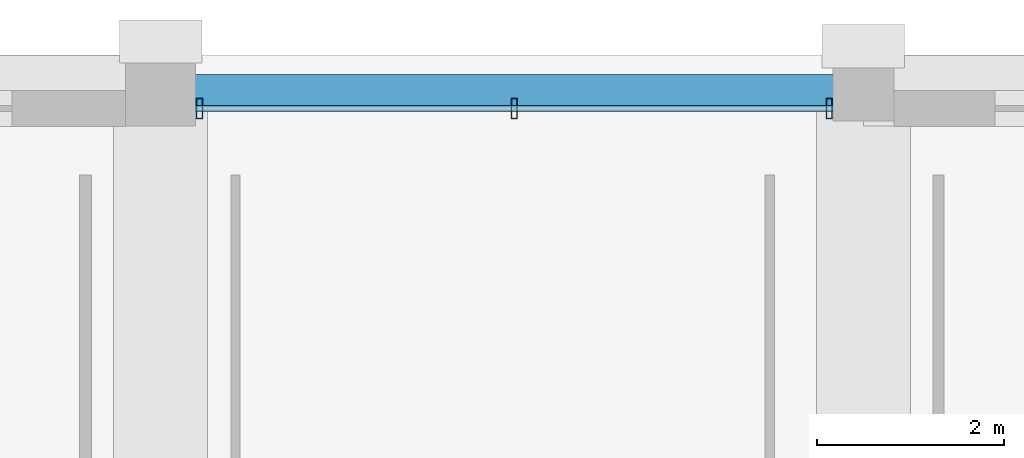
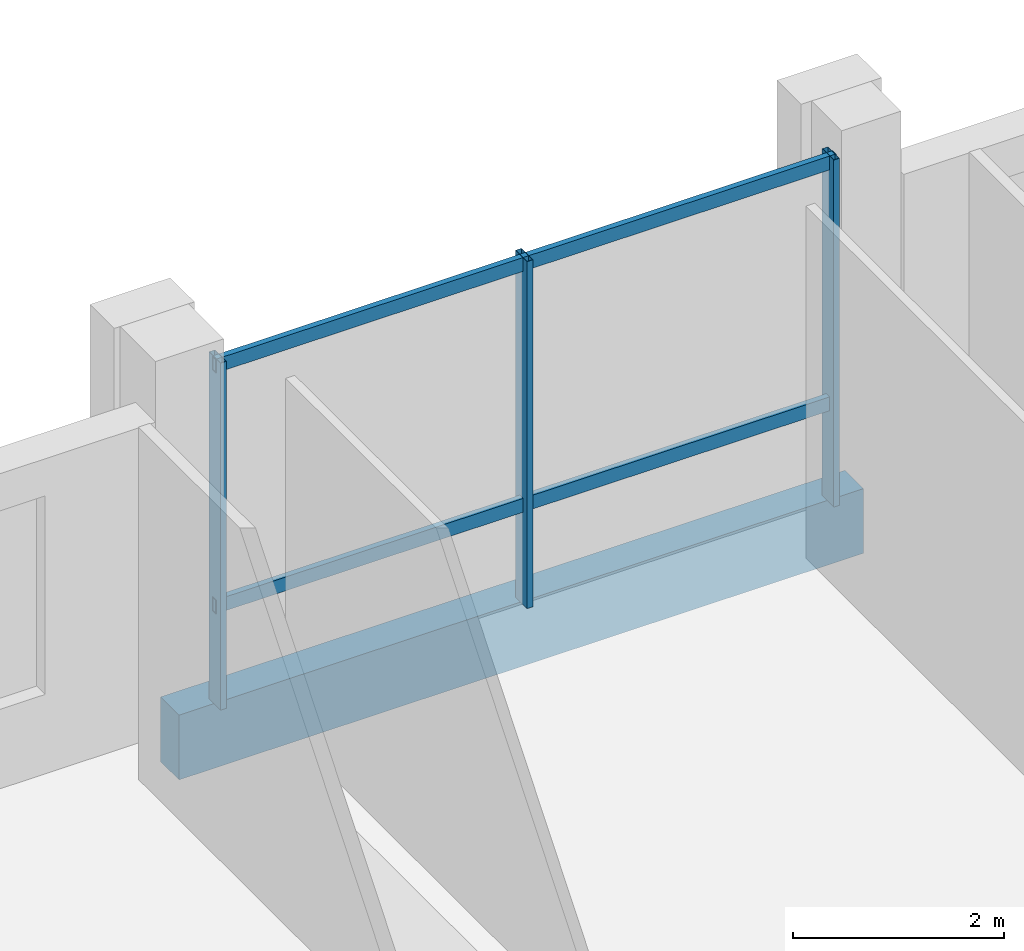
# One storey, part 30 of 64: 5 members, 1 beam, 1 element without a shape of its own.
"""IFC4 building model written with IfcOpenShell, lengths in metres."""

from ifc_helpers import new_model, si_unit, direction, frame, origin, origin_2d, place, context, subcontext, project, spatial, rectangle, hollow_rectangle, extrude, material, material_profile, profile_set, type_object, element, aggregate, save


model = new_model("IFC4")

# Units and contexts
model_context = context("Model", 3, precision=1e-05, world=origin(), true_north=direction((0.0, 1.0)))
body_context = subcontext(model_context, "Body", "Model", "MODEL_VIEW")
ifc_project = project(units=[si_unit("LENGTHUNIT", "METRE"), si_unit("AREAUNIT", "SQUARE_METRE"), si_unit("VOLUMEUNIT", "CUBIC_METRE"), si_unit("PLANEANGLEUNIT", "RADIAN"), si_unit("MASSUNIT", "GRAM", prefix="KILO")], contexts=[model_context])

# Site, building, storey
site_placement = place(None, origin())
site = spatial("IfcSite", under=ifc_project, at=site_placement, CompositionType="ELEMENT")
building_placement = place(site_placement, origin())
building = spatial("IfcBuilding", under=site, at=building_placement, Name="Akrevak Sports Hall", CompositionType="ELEMENT")
storey_placement = place(building_placement, frame((0.0, 0.0, 4.60009765625)))
storey = spatial("IfcBuildingStorey", under=building, at=storey_placement, Name="L01", CompositionType="ELEMENT", Elevation=4.60009765625)

# Curtain wall, members
ifc_material_1 = material(Name="Anodized Bronze Aluminium & Low-E Glass", Category="aluminium")
curtain_wall_type = type_object("IfcCurtainWallType", Name="ARC-CW-POD-70x42", PredefinedType="NOTDEFINED", material=ifc_material_1)
curtain_wall_placement = place(storey_placement, origin())
curtain_wall = element("IfcCurtainWall", 1, at=curtain_wall_placement, inside=storey, type_object=curtain_wall_type, Name="Curtain Wall CW-L01-N15", PredefinedType="NOTDEFINED")
ifc_material_2 = material(Name="Anodized Bronze Aluminium", Category="aluminium")
ifc_material_profile_1 = material_profile(ifc_material_2, hollow_rectangle(XDim=0.06494140625, YDim=0.219970703125, WallThickness=0.00439453125, at=origin_2d()), Name="CWM 65x220", Category="aluminium")
ifc_profile_set_1 = profile_set([ifc_material_profile_1], Name="Anodized Bronze Aluminium")
member_type_1 = type_object("IfcMemberType", Name="ARC-CWM-70x160", PredefinedType="MULLION", material=ifc_profile_set_1)
member_1_placement = place(storey_placement, frame((115.135009765625, 113.81005859375, 0.0), z_axis=(0.0, 0.0, 1.0), x_axis=(-1.0, 0.0, 0.0)))
member_1 = element("IfcMember", 2, at=member_1_placement, type_object=member_type_1, Name="Curtain Wall Mullion CW-L01-N15-M1", PredefinedType="MULLION", context=body_context, shape_type="SweptSolid", body=[
    extrude(hollow_rectangle(XDim=0.06494140625, YDim=0.219970703125, WallThickness=0.00439453125, at=origin_2d()), origin(), (0.0, 0.0, 1.0), 4.02001953125),
])
member_2_placement = place(storey_placement, frame((111.77490234375, 113.81005859375, 0.0), z_axis=(0.0, 0.0, 1.0), x_axis=(-1.0, 0.0, 0.0)))
member_2 = element("IfcMember", 3, at=member_2_placement, type_object=member_type_1, Name="Curtain Wall Mullion CW-L01-N15-M2", PredefinedType="MULLION", context=body_context, shape_type="SweptSolid", body=[
    extrude(hollow_rectangle(XDim=0.06494140625, YDim=0.219970703125, WallThickness=0.00439453125, at=origin_2d()), origin(), (0.0, 0.0, 1.0), 4.02001953125),
])
member_3_placement = place(storey_placement, frame((108.4150390625, 113.81005859375, 0.0), z_axis=(0.0, 0.0, 1.0), x_axis=(-1.0, 0.0, 0.0)))
member_3 = element("IfcMember", 4, at=member_3_placement, type_object=member_type_1, Name="Curtain Wall Mullion CW-L01-N15-M3", PredefinedType="MULLION", context=body_context, shape_type="SweptSolid", body=[
    extrude(hollow_rectangle(XDim=0.06494140625, YDim=0.219970703125, WallThickness=0.00439453125, at=origin_2d()), origin(), (0.0, 0.0, 1.0), 4.02001953125),
])
ifc_material_profile_2 = material_profile(ifc_material_2, hollow_rectangle(XDim=0.06494140625, YDim=0.159912109375, WallThickness=0.00390625, at=origin_2d()), Name="CWT 65x160", Category="aluminium")
ifc_profile_set_2 = profile_set([ifc_material_profile_2], Name="Anodized Bronze Aluminium")
member_type_2 = type_object("IfcMemberType", Name="ARC-CWT-70x130", PredefinedType="USERDEFINED", material=ifc_profile_set_2)
member_4_placement = place(storey_placement, frame((115.175048828125, 113.81005859375, 1.14990234375), z_axis=(-1.0, 0.0, 0.0), x_axis=(0.0, -1.0, 0.0)))
member_4 = element("IfcMember", 5, at=member_4_placement, type_object=member_type_2, Name="Curtain Wall Transom CW-L01-N15-T1", ObjectType="TRANSOM", PredefinedType="USERDEFINED", context=body_context, shape_type="SweptSolid", body=[
    extrude(hollow_rectangle(XDim=0.06494140625, YDim=0.159912109375, WallThickness=0.00390625, at=origin_2d()), origin(), (0.0, 0.0, 1.0), 6.800048828125),
])
member_5_placement = place(storey_placement, frame((115.175048828125, 113.81005859375, 3.93994140625), z_axis=(-1.0, 0.0, 0.0), x_axis=(0.0, -1.0, 0.0)))
member_5 = element("IfcMember", 6, at=member_5_placement, type_object=member_type_2, Name="Curtain Wall Transom CW-L01-N15-T2", ObjectType="TRANSOM", PredefinedType="USERDEFINED", context=body_context, shape_type="SweptSolid", body=[
    extrude(hollow_rectangle(XDim=0.06494140625, YDim=0.159912109375, WallThickness=0.00390625, at=origin_2d()), origin(), (0.0, 0.0, 1.0), 6.800048828125),
])
aggregate(curtain_wall, [member_1, member_2, member_3, member_4, member_5])

# Beam
ifc_material_3 = material(Name="Concrete C40/50", Category="concrete")
ifc_material_profile_3 = material_profile(ifc_material_3, rectangle(XDim=0.35009765625, YDim=0.75, at=origin_2d()), Name="SPD 350x750", Category="concrete")
ifc_profile_set_3 = profile_set([ifc_material_profile_3], Name="Concrete C40/50")
beam_type = type_object("IfcBeamType", Name="STR-SPD-RC350x750", PredefinedType="SPANDREL", material=ifc_profile_set_3)
beam_placement = place(storey_placement, frame((108.0, 114.0, -0.375), z_axis=(1.0, 0.0, 0.0), x_axis=(0.0, 1.0, 0.0)))
element("IfcBeam", 7, at=beam_placement, inside=storey, type_object=beam_type, Name="Girder Q/15-16 (L01)", PredefinedType="SPANDREL", context=body_context, shape_type="SweptSolid", body=[
    extrude(rectangle(XDim=0.35009765625, YDim=0.75, at=origin_2d()), origin(), (0.0, 0.0, 1.0), 7.5),
])

save(model, "model.ifc")
